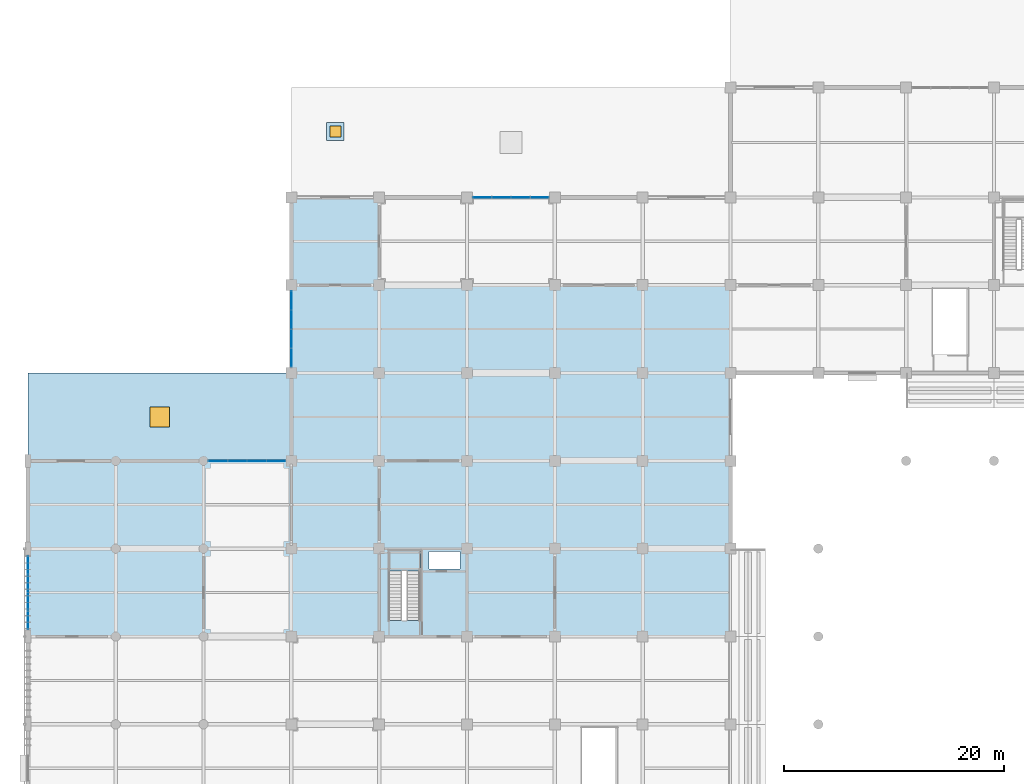
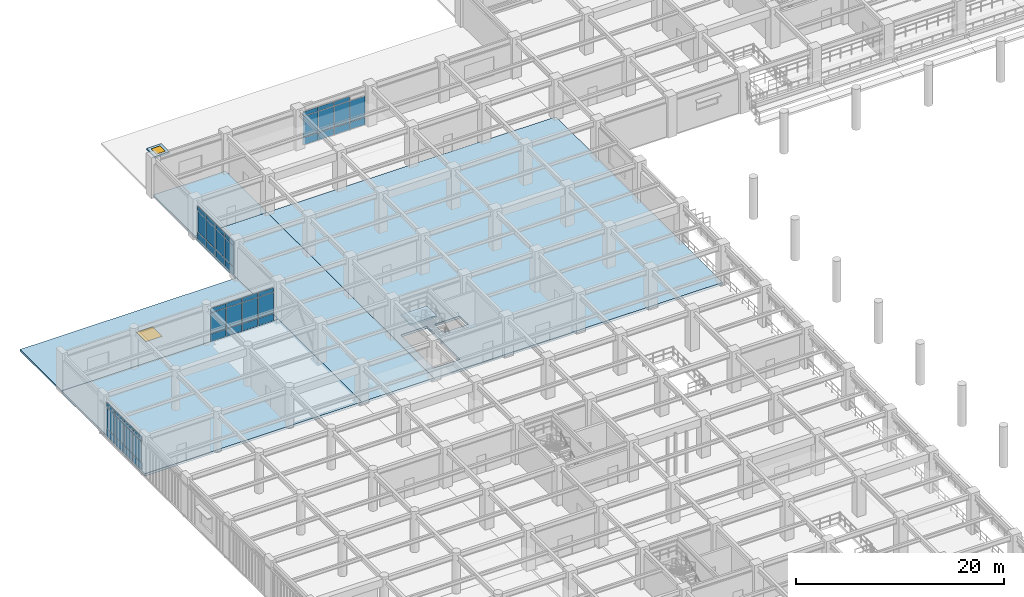
# One storey, part 66 of 117: 47 plates, 7 slabs, 1 door, 1 window, 2 openings, 5 elements without a shape of their own.
"""IFC4 building model written with IfcOpenShell, lengths in metres."""

from ifc_helpers import new_model, si_unit, direction, frame, origin, origin_2d, place, context, subcontext, project, spatial, polyline, rectangle, outline, extrude, material, layer, layer_set, type_object, element, fill, aggregate, save


model = new_model("IFC4")

# Units and contexts
model_context = context("Model", 3, precision=1e-05, world=origin(), true_north=direction((0.0, 1.0)))
body_context = subcontext(model_context, "Body", "Model", "MODEL_VIEW")
ifc_project = project(units=[si_unit("LENGTHUNIT", "METRE"), si_unit("AREAUNIT", "SQUARE_METRE"), si_unit("VOLUMEUNIT", "CUBIC_METRE"), si_unit("PLANEANGLEUNIT", "RADIAN"), si_unit("MASSUNIT", "GRAM", prefix="KILO")], contexts=[model_context])

# Site, building, storey
site_placement = place(None, origin())
site = spatial("IfcSite", under=ifc_project, at=site_placement, CompositionType="ELEMENT")
building_placement = place(site_placement, origin())
building = spatial("IfcBuilding", under=site, at=building_placement, Name="Haebicheon Civic Stadium", CompositionType="ELEMENT")
storey_placement = place(building_placement, frame((0.0, 0.0, 4.800048828125)))
storey = spatial("IfcBuildingStorey", under=building, at=storey_placement, Name="L02", CompositionType="ELEMENT", Elevation=4.800048828125)

# Curtain wall, plates
ifc_material_1 = material(Name="Anodised aluminium and laminated glass", Category="aluminium")
ifc_layer_1 = layer(ifc_material_1, 0.179931640625, Name="Anodised aluminium and laminated glass")
ifc_layer_set_1 = layer_set([ifc_layer_1], Name="Anodised aluminium and laminated glass")
curtain_wall_type_1 = type_object("IfcCurtainWallType", Name="CW-6800x3950", PredefinedType="NOTDEFINED", material=ifc_layer_set_1)
curtain_wall_1_placement = place(storey_placement, origin())
curtain_wall_1 = element("IfcCurtainWall", 1, at=curtain_wall_1_placement, inside=storey, type_object=curtain_wall_type_1, material=ifc_layer_set_1, Name="L02 unitised curtain wall 032", PredefinedType="NOTDEFINED")
ifc_material_2 = material(Name="Double low-e laminated glass", Category="glass")
ifc_layer_2 = layer(ifc_material_2, 0.028076171875, Name="Double low-e laminated glass")
ifc_layer_set_2 = layer_set([ifc_layer_2], Name="Double low-e laminated glass")
plate_type_1 = type_object("IfcPlateType", Name="CWP-GLZ-28", PredefinedType="CURTAIN_PANEL", material=ifc_layer_set_2)
plate_1_placement = place(storey_placement, frame((0.0, 129.468017578125, 0.93505859375), z_axis=(0.0, 0.0, 1.0), x_axis=(0.0, 1.0, 0.0)))
plate_1 = element("IfcPlate", 2, at=plate_1_placement, type_object=plate_type_1, material=ifc_layer_set_2, Name="CW-L02-032 vision panel 1.2", PredefinedType="CURTAIN_PANEL", context=body_context, shape_type="SweptSolid", body=[
    extrude(rectangle(XDim=1.594970703125, YDim=0.028076171875, at=origin_2d()), origin(), (0.0, 0.0, 1.0), 2.429931640625),
])
plate_2_placement = place(storey_placement, frame((0.0, 131.14990234375, 0.93505859375), z_axis=(0.0, 0.0, 1.0), x_axis=(0.0, 1.0, 0.0)))
plate_2 = element("IfcPlate", 3, at=plate_2_placement, type_object=plate_type_1, material=ifc_layer_set_2, Name="CW-L02-032 vision panel 2.2", PredefinedType="CURTAIN_PANEL", context=body_context, shape_type="SweptSolid", body=[
    extrude(rectangle(XDim=1.6298828125, YDim=0.028076171875, at=origin_2d()), origin(), (0.0, 0.0, 1.0), 2.429931640625),
])
plate_3_placement = place(storey_placement, frame((0.0, 132.85009765625, 0.93505859375), z_axis=(0.0, 0.0, 1.0), x_axis=(0.0, 1.0, 0.0)))
plate_3 = element("IfcPlate", 4, at=plate_3_placement, type_object=plate_type_1, material=ifc_layer_set_2, Name="CW-L02-032 vision panel 3.2", PredefinedType="CURTAIN_PANEL", context=body_context, shape_type="SweptSolid", body=[
    extrude(rectangle(XDim=1.6298828125, YDim=0.028076171875, at=origin_2d()), origin(), (0.0, 0.0, 1.0), 2.429931640625),
])
plate_4_placement = place(storey_placement, frame((0.0, 134.531982421875, 0.93505859375), z_axis=(0.0, 0.0, 1.0), x_axis=(0.0, 1.0, 0.0)))
plate_4 = element("IfcPlate", 5, at=plate_4_placement, type_object=plate_type_1, material=ifc_layer_set_2, Name="CW-L02-032 vision panel 4.2", PredefinedType="CURTAIN_PANEL", context=body_context, shape_type="SweptSolid", body=[
    extrude(rectangle(XDim=1.594970703125, YDim=0.028076171875, at=origin_2d()), origin(), (0.0, 0.0, 1.0), 2.429931640625),
])

ifc_material_3 = material(Name="Anodised aluminium and laminated glass", Category="aluminium")
ifc_layer_3 = layer(ifc_material_3, 0.179931640625, Name="Anodised aluminium and laminated glass")
ifc_layer_set_3 = layer_set([ifc_layer_3], Name="Anodised aluminium and laminated glass")
curtain_wall_type_2 = type_object("IfcCurtainWallType", Name="CW-7075x3910", PredefinedType="NOTDEFINED", material=ifc_layer_set_3)
curtain_wall_2_placement = place(storey_placement, origin())
curtain_wall_2 = element("IfcCurtainWall", 6, at=curtain_wall_2_placement, inside=storey, type_object=curtain_wall_type_2, material=ifc_layer_set_3, Name="L02 unitised curtain wall 034", PredefinedType="NOTDEFINED")
plate_5_placement = place(storey_placement, frame((17.326904296875, 144.0, 0.93505859375), z_axis=(0.0, 0.0, 1.0), x_axis=(1.0, 0.0, 0.0)))
plate_5 = element("IfcPlate", 7, at=plate_5_placement, type_object=plate_type_1, material=ifc_layer_set_2, Name="CW-L02-034 vision panel 1.2", PredefinedType="CURTAIN_PANEL", context=body_context, shape_type="SweptSolid", body=[
    extrude(rectangle(XDim=1.6640625, YDim=0.028076171875, at=origin_2d()), origin(), (0.0, 0.0, 1.0), 2.389892578125),
])
plate_6_placement = place(storey_placement, frame((19.077880859375, 144.0, 0.93505859375), z_axis=(0.0, 0.0, 1.0), x_axis=(1.0, 0.0, 0.0)))
plate_6 = element("IfcPlate", 8, at=plate_6_placement, type_object=plate_type_1, material=ifc_layer_set_2, Name="CW-L02-034 vision panel 2.2", PredefinedType="CURTAIN_PANEL", context=body_context, shape_type="SweptSolid", body=[
    extrude(rectangle(XDim=1.698974609375, YDim=0.028076171875, at=origin_2d()), origin(), (0.0, 0.0, 1.0), 2.389892578125),
])
plate_7_placement = place(storey_placement, frame((20.846923828125, 144.0, 0.93505859375), z_axis=(0.0, 0.0, 1.0), x_axis=(1.0, 0.0, 0.0)))
plate_7 = element("IfcPlate", 9, at=plate_7_placement, type_object=plate_type_1, material=ifc_layer_set_2, Name="CW-L02-034 vision panel 3.2", PredefinedType="CURTAIN_PANEL", context=body_context, shape_type="SweptSolid", body=[
    extrude(rectangle(XDim=1.697998046875, YDim=0.028076171875, at=origin_2d()), origin(), (0.0, 0.0, 1.0), 2.389892578125),
])
plate_8_placement = place(storey_placement, frame((22.597900390625, 144.0, 0.93505859375), z_axis=(0.0, 0.0, 1.0), x_axis=(1.0, 0.0, 0.0)))
plate_8 = element("IfcPlate", 10, at=plate_8_placement, type_object=plate_type_1, material=ifc_layer_set_2, Name="CW-L02-034 vision panel 4.2", PredefinedType="CURTAIN_PANEL", context=body_context, shape_type="SweptSolid", body=[
    extrude(rectangle(XDim=1.6640625, YDim=0.028076171875, at=origin_2d()), origin(), (0.0, 0.0, 1.0), 2.389892578125),
])

ifc_material_4 = material(Name="Anodised aluminium and laminated glass", Category="aluminium")
ifc_layer_4 = layer(ifc_material_4, 0.179931640625, Name="Anodised aluminium and laminated glass")
ifc_layer_set_4 = layer_set([ifc_layer_4], Name="Anodised aluminium and laminated glass")
curtain_wall_type_3 = type_object("IfcCurtainWallType", Name="CW-7000x3910", PredefinedType="NOTDEFINED", material=ifc_layer_set_4)
curtain_wall_3_placement = place(storey_placement, origin())
curtain_wall_3 = element("IfcCurtainWall", 11, at=curtain_wall_3_placement, inside=storey, type_object=curtain_wall_type_3, material=ifc_layer_set_4, Name="L02 unitised curtain wall 037", PredefinedType="NOTDEFINED")
plate_9_placement = place(storey_placement, frame((24.0, 153.39208984375, 0.93505859375), z_axis=(0.0, 0.0, 1.0), x_axis=(0.0, 1.0, 0.0)))
plate_9 = element("IfcPlate", 12, at=plate_9_placement, type_object=plate_type_1, material=ifc_layer_set_2, Name="CW-L02-037 vision panel 1.2", PredefinedType="CURTAIN_PANEL", context=body_context, shape_type="SweptSolid", body=[
    extrude(rectangle(XDim=1.64501953125, YDim=0.028076171875, at=origin_2d()), origin(), (0.0, 0.0, 1.0), 2.389892578125),
])
plate_10_placement = place(storey_placement, frame((24.0, 155.125, 0.93505859375), z_axis=(0.0, 0.0, 1.0), x_axis=(0.0, 1.0, 0.0)))
plate_10 = element("IfcPlate", 13, at=plate_10_placement, type_object=plate_type_1, material=ifc_layer_set_2, Name="CW-L02-037 vision panel 2.2", PredefinedType="CURTAIN_PANEL", context=body_context, shape_type="SweptSolid", body=[
    extrude(rectangle(XDim=1.679931640625, YDim=0.028076171875, at=origin_2d()), origin(), (0.0, 0.0, 1.0), 2.389892578125),
])
plate_11_placement = place(storey_placement, frame((24.0, 156.875, 0.93505859375), z_axis=(0.0, 0.0, 1.0), x_axis=(0.0, 1.0, 0.0)))
plate_11 = element("IfcPlate", 14, at=plate_11_placement, type_object=plate_type_1, material=ifc_layer_set_2, Name="CW-L02-037 vision panel 3.2", PredefinedType="CURTAIN_PANEL", context=body_context, shape_type="SweptSolid", body=[
    extrude(rectangle(XDim=1.679931640625, YDim=0.028076171875, at=origin_2d()), origin(), (0.0, 0.0, 1.0), 2.389892578125),
])
plate_12_placement = place(storey_placement, frame((24.0, 158.60791015625, 0.93505859375), z_axis=(0.0, 0.0, 1.0), x_axis=(0.0, 1.0, 0.0)))
plate_12 = element("IfcPlate", 15, at=plate_12_placement, type_object=plate_type_1, material=ifc_layer_set_2, Name="CW-L02-037 vision panel 4.2", PredefinedType="CURTAIN_PANEL", context=body_context, shape_type="SweptSolid", body=[
    extrude(rectangle(XDim=1.64501953125, YDim=0.028076171875, at=origin_2d()), origin(), (0.0, 0.0, 1.0), 2.389892578125),
])

ifc_material_5 = material(Name="Anodised aluminium and laminated glass", Category="aluminium")
ifc_layer_5 = layer(ifc_material_5, 0.179931640625, Name="Anodised aluminium and laminated glass")
ifc_layer_set_5 = layer_set([ifc_layer_5], Name="Anodised aluminium and laminated glass")
curtain_wall_type_4 = type_object("IfcCurtainWallType", Name="CW-7000x3950", PredefinedType="NOTDEFINED", material=ifc_layer_set_5)
curtain_wall_4_placement = place(storey_placement, origin())
curtain_wall_4 = element("IfcCurtainWall", 16, at=curtain_wall_4_placement, inside=storey, type_object=curtain_wall_type_4, material=ifc_layer_set_5, Name="L02 unitised curtain wall 040", PredefinedType="NOTDEFINED")
plate_13_placement = place(storey_placement, frame((41.39208984375, 168.0, 0.93505859375), z_axis=(0.0, 0.0, 1.0), x_axis=(1.0, 0.0, 0.0)))
plate_13 = element("IfcPlate", 17, at=plate_13_placement, type_object=plate_type_1, material=ifc_layer_set_2, Name="CW-L02-040 vision panel 1.2", PredefinedType="CURTAIN_PANEL", context=body_context, shape_type="SweptSolid", body=[
    extrude(rectangle(XDim=1.64501953125, YDim=0.028076171875, at=origin_2d()), origin(), (0.0, 0.0, 1.0), 2.429931640625),
])
plate_14_placement = place(storey_placement, frame((43.125, 168.0, 0.93505859375), z_axis=(0.0, 0.0, 1.0), x_axis=(1.0, 0.0, 0.0)))
plate_14 = element("IfcPlate", 18, at=plate_14_placement, type_object=plate_type_1, material=ifc_layer_set_2, Name="CW-L02-040 vision panel 2.2", PredefinedType="CURTAIN_PANEL", context=body_context, shape_type="SweptSolid", body=[
    extrude(rectangle(XDim=1.679931640625, YDim=0.028076171875, at=origin_2d()), origin(), (0.0, 0.0, 1.0), 2.429931640625),
])
plate_15_placement = place(storey_placement, frame((44.875, 168.0, 0.93505859375), z_axis=(0.0, 0.0, 1.0), x_axis=(1.0, 0.0, 0.0)))
plate_15 = element("IfcPlate", 19, at=plate_15_placement, type_object=plate_type_1, material=ifc_layer_set_2, Name="CW-L02-040 vision panel 3.2", PredefinedType="CURTAIN_PANEL", context=body_context, shape_type="SweptSolid", body=[
    extrude(rectangle(XDim=1.679931640625, YDim=0.028076171875, at=origin_2d()), origin(), (0.0, 0.0, 1.0), 2.429931640625),
])
plate_16_placement = place(storey_placement, frame((46.60791015625, 168.0, 0.93505859375), z_axis=(0.0, 0.0, 1.0), x_axis=(1.0, 0.0, 0.0)))
plate_16 = element("IfcPlate", 20, at=plate_16_placement, type_object=plate_type_1, material=ifc_layer_set_2, Name="CW-L02-040 vision panel 4.2", PredefinedType="CURTAIN_PANEL", context=body_context, shape_type="SweptSolid", body=[
    extrude(rectangle(XDim=1.64501953125, YDim=0.028076171875, at=origin_2d()), origin(), (0.0, 0.0, 1.0), 2.429931640625),
])

# Plate
ifc_material_6 = material(Name="Anodised aluminium 6063-T6", Category="aluminium")
ifc_layer_6 = layer(ifc_material_6, 0.053955078125, Name="Anodised aluminium 6063-T6")
ifc_layer_set_6 = layer_set([ifc_layer_6], Name="Anodised aluminium 6063-T6")
plate_type_2 = type_object("IfcPlateType", Name="CWP-SPD-54", PredefinedType="CURTAIN_PANEL", material=ifc_layer_set_6)
plate_17_placement = place(storey_placement, frame((0.0, 129.468017578125, 0.034912109375), z_axis=(0.0, 0.0, 1.0), x_axis=(0.0, 1.0, 0.0)))
plate_17 = element("IfcPlate", 21, at=plate_17_placement, type_object=plate_type_2, material=ifc_layer_set_6, Name="CW-L02-032 spandrel panel 1.1", PredefinedType="CURTAIN_PANEL", context=body_context, shape_type="SweptSolid", body=[
    extrude(rectangle(XDim=1.594970703125, YDim=0.053955078125, at=origin_2d()), origin(), (0.0, 0.0, 1.0), 0.830078125),
])

plate_18_placement = place(storey_placement, frame((0.0, 129.468017578125, 3.43505859375), z_axis=(0.0, 0.0, 1.0), x_axis=(0.0, 1.0, 0.0)))
plate_18 = element("IfcPlate", 22, at=plate_18_placement, type_object=plate_type_2, material=ifc_layer_set_6, Name="CW-L02-032 spandrel panel 1.3", PredefinedType="CURTAIN_PANEL", context=body_context, shape_type="SweptSolid", body=[
    extrude(rectangle(XDim=1.594970703125, YDim=0.053955078125, at=origin_2d()), origin(), (0.0, 0.0, 1.0), 0.47998046875),
])

plate_19_placement = place(storey_placement, frame((0.0, 131.14990234375, 0.034912109375), z_axis=(0.0, 0.0, 1.0), x_axis=(0.0, 1.0, 0.0)))
plate_19 = element("IfcPlate", 23, at=plate_19_placement, type_object=plate_type_2, material=ifc_layer_set_6, Name="CW-L02-032 spandrel panel 2.1", PredefinedType="CURTAIN_PANEL", context=body_context, shape_type="SweptSolid", body=[
    extrude(rectangle(XDim=1.6298828125, YDim=0.053955078125, at=origin_2d()), origin(), (0.0, 0.0, 1.0), 0.830078125),
])

plate_20_placement = place(storey_placement, frame((0.0, 131.14990234375, 3.43505859375), z_axis=(0.0, 0.0, 1.0), x_axis=(0.0, 1.0, 0.0)))
plate_20 = element("IfcPlate", 24, at=plate_20_placement, type_object=plate_type_2, material=ifc_layer_set_6, Name="CW-L02-032 spandrel panel 2.3", PredefinedType="CURTAIN_PANEL", context=body_context, shape_type="SweptSolid", body=[
    extrude(rectangle(XDim=1.6298828125, YDim=0.053955078125, at=origin_2d()), origin(), (0.0, 0.0, 1.0), 0.47998046875),
])

plate_21_placement = place(storey_placement, frame((0.0, 132.85009765625, 0.034912109375), z_axis=(0.0, 0.0, 1.0), x_axis=(0.0, 1.0, 0.0)))
plate_21 = element("IfcPlate", 25, at=plate_21_placement, type_object=plate_type_2, material=ifc_layer_set_6, Name="CW-L02-032 spandrel panel 3.1", PredefinedType="CURTAIN_PANEL", context=body_context, shape_type="SweptSolid", body=[
    extrude(rectangle(XDim=1.6298828125, YDim=0.053955078125, at=origin_2d()), origin(), (0.0, 0.0, 1.0), 0.830078125),
])

plate_22_placement = place(storey_placement, frame((0.0, 132.85009765625, 3.43505859375), z_axis=(0.0, 0.0, 1.0), x_axis=(0.0, 1.0, 0.0)))
plate_22 = element("IfcPlate", 26, at=plate_22_placement, type_object=plate_type_2, material=ifc_layer_set_6, Name="CW-L02-032 spandrel panel 3.3", PredefinedType="CURTAIN_PANEL", context=body_context, shape_type="SweptSolid", body=[
    extrude(rectangle(XDim=1.6298828125, YDim=0.053955078125, at=origin_2d()), origin(), (0.0, 0.0, 1.0), 0.47998046875),
])

plate_23_placement = place(storey_placement, frame((0.0, 134.531982421875, 0.034912109375), z_axis=(0.0, 0.0, 1.0), x_axis=(0.0, 1.0, 0.0)))
plate_23 = element("IfcPlate", 27, at=plate_23_placement, type_object=plate_type_2, material=ifc_layer_set_6, Name="CW-L02-032 spandrel panel 4.1", PredefinedType="CURTAIN_PANEL", context=body_context, shape_type="SweptSolid", body=[
    extrude(rectangle(XDim=1.594970703125, YDim=0.053955078125, at=origin_2d()), origin(), (0.0, 0.0, 1.0), 0.830078125),
])

plate_24_placement = place(storey_placement, frame((0.0, 134.531982421875, 3.43505859375), z_axis=(0.0, 0.0, 1.0), x_axis=(0.0, 1.0, 0.0)))
plate_24 = element("IfcPlate", 28, at=plate_24_placement, type_object=plate_type_2, material=ifc_layer_set_6, Name="CW-L02-032 spandrel panel 4.3", PredefinedType="CURTAIN_PANEL", context=body_context, shape_type="SweptSolid", body=[
    extrude(rectangle(XDim=1.594970703125, YDim=0.053955078125, at=origin_2d()), origin(), (0.0, 0.0, 1.0), 0.47998046875),
])

aggregate(curtain_wall_1, [plate_17, plate_1, plate_18, plate_19, plate_2, plate_20, plate_21, plate_3, plate_22, plate_23, plate_4, plate_24])

plate_25_placement = place(storey_placement, frame((17.326904296875, 144.0, 0.034912109375), z_axis=(0.0, 0.0, 1.0), x_axis=(1.0, 0.0, 0.0)))
plate_25 = element("IfcPlate", 29, at=plate_25_placement, type_object=plate_type_2, material=ifc_layer_set_6, Name="CW-L02-034 spandrel panel 1.1", PredefinedType="CURTAIN_PANEL", context=body_context, shape_type="SweptSolid", body=[
    extrude(rectangle(XDim=1.6640625, YDim=0.053955078125, at=origin_2d()), origin(), (0.0, 0.0, 1.0), 0.830078125),
])

plate_26_placement = place(storey_placement, frame((17.326904296875, 144.0, 3.39501953125), z_axis=(0.0, 0.0, 1.0), x_axis=(1.0, 0.0, 0.0)))
plate_26 = element("IfcPlate", 30, at=plate_26_placement, type_object=plate_type_2, material=ifc_layer_set_6, Name="CW-L02-034 spandrel panel 1.3", PredefinedType="CURTAIN_PANEL", context=body_context, shape_type="SweptSolid", body=[
    extrude(rectangle(XDim=1.6640625, YDim=0.053955078125, at=origin_2d()), origin(), (0.0, 0.0, 1.0), 0.47998046875),
])

plate_27_placement = place(storey_placement, frame((19.077880859375, 144.0, 0.034912109375), z_axis=(0.0, 0.0, 1.0), x_axis=(1.0, 0.0, 0.0)))
plate_27 = element("IfcPlate", 31, at=plate_27_placement, type_object=plate_type_2, material=ifc_layer_set_6, Name="CW-L02-034 spandrel panel 2.1", PredefinedType="CURTAIN_PANEL", context=body_context, shape_type="SweptSolid", body=[
    extrude(rectangle(XDim=1.698974609375, YDim=0.053955078125, at=origin_2d()), origin(), (0.0, 0.0, 1.0), 0.830078125),
])

plate_28_placement = place(storey_placement, frame((19.077880859375, 144.0, 3.39501953125), z_axis=(0.0, 0.0, 1.0), x_axis=(1.0, 0.0, 0.0)))
plate_28 = element("IfcPlate", 32, at=plate_28_placement, type_object=plate_type_2, material=ifc_layer_set_6, Name="CW-L02-034 spandrel panel 2.3", PredefinedType="CURTAIN_PANEL", context=body_context, shape_type="SweptSolid", body=[
    extrude(rectangle(XDim=1.698974609375, YDim=0.053955078125, at=origin_2d()), origin(), (0.0, 0.0, 1.0), 0.47998046875),
])

plate_29_placement = place(storey_placement, frame((20.846923828125, 144.0, 0.034912109375), z_axis=(0.0, 0.0, 1.0), x_axis=(1.0, 0.0, 0.0)))
plate_29 = element("IfcPlate", 33, at=plate_29_placement, type_object=plate_type_2, material=ifc_layer_set_6, Name="CW-L02-034 spandrel panel 3.1", PredefinedType="CURTAIN_PANEL", context=body_context, shape_type="SweptSolid", body=[
    extrude(rectangle(XDim=1.697998046875, YDim=0.053955078125, at=origin_2d()), origin(), (0.0, 0.0, 1.0), 0.830078125),
])

plate_30_placement = place(storey_placement, frame((20.846923828125, 144.0, 3.39501953125), z_axis=(0.0, 0.0, 1.0), x_axis=(1.0, 0.0, 0.0)))
plate_30 = element("IfcPlate", 34, at=plate_30_placement, type_object=plate_type_2, material=ifc_layer_set_6, Name="CW-L02-034 spandrel panel 3.3", PredefinedType="CURTAIN_PANEL", context=body_context, shape_type="SweptSolid", body=[
    extrude(rectangle(XDim=1.697998046875, YDim=0.053955078125, at=origin_2d()), origin(), (0.0, 0.0, 1.0), 0.47998046875),
])

plate_31_placement = place(storey_placement, frame((22.597900390625, 144.0, 0.034912109375), z_axis=(0.0, 0.0, 1.0), x_axis=(1.0, 0.0, 0.0)))
plate_31 = element("IfcPlate", 35, at=plate_31_placement, type_object=plate_type_2, material=ifc_layer_set_6, Name="CW-L02-034 spandrel panel 4.1", PredefinedType="CURTAIN_PANEL", context=body_context, shape_type="SweptSolid", body=[
    extrude(rectangle(XDim=1.6640625, YDim=0.053955078125, at=origin_2d()), origin(), (0.0, 0.0, 1.0), 0.830078125),
])

plate_32_placement = place(storey_placement, frame((22.597900390625, 144.0, 3.39501953125), z_axis=(0.0, 0.0, 1.0), x_axis=(1.0, 0.0, 0.0)))
plate_32 = element("IfcPlate", 36, at=plate_32_placement, type_object=plate_type_2, material=ifc_layer_set_6, Name="CW-L02-034 spandrel panel 4.3", PredefinedType="CURTAIN_PANEL", context=body_context, shape_type="SweptSolid", body=[
    extrude(rectangle(XDim=1.6640625, YDim=0.053955078125, at=origin_2d()), origin(), (0.0, 0.0, 1.0), 0.47998046875),
])

aggregate(curtain_wall_2, [plate_25, plate_5, plate_26, plate_27, plate_6, plate_28, plate_29, plate_7, plate_30, plate_31, plate_8, plate_32])

plate_33_placement = place(storey_placement, frame((24.0, 153.39208984375, 0.034912109375), z_axis=(0.0, 0.0, 1.0), x_axis=(0.0, 1.0, 0.0)))
plate_33 = element("IfcPlate", 37, at=plate_33_placement, type_object=plate_type_2, material=ifc_layer_set_6, Name="CW-L02-037 spandrel panel 1.1", PredefinedType="CURTAIN_PANEL", context=body_context, shape_type="SweptSolid", body=[
    extrude(rectangle(XDim=1.64501953125, YDim=0.053955078125, at=origin_2d()), origin(), (0.0, 0.0, 1.0), 0.830078125),
])

plate_34_placement = place(storey_placement, frame((24.0, 153.39208984375, 3.39501953125), z_axis=(0.0, 0.0, 1.0), x_axis=(0.0, 1.0, 0.0)))
plate_34 = element("IfcPlate", 38, at=plate_34_placement, type_object=plate_type_2, material=ifc_layer_set_6, Name="CW-L02-037 spandrel panel 1.3", PredefinedType="CURTAIN_PANEL", context=body_context, shape_type="SweptSolid", body=[
    extrude(rectangle(XDim=1.64501953125, YDim=0.053955078125, at=origin_2d()), origin(), (0.0, 0.0, 1.0), 0.47998046875),
])

plate_35_placement = place(storey_placement, frame((24.0, 155.125, 0.034912109375), z_axis=(0.0, 0.0, 1.0), x_axis=(0.0, 1.0, 0.0)))
plate_35 = element("IfcPlate", 39, at=plate_35_placement, type_object=plate_type_2, material=ifc_layer_set_6, Name="CW-L02-037 spandrel panel 2.1", PredefinedType="CURTAIN_PANEL", context=body_context, shape_type="SweptSolid", body=[
    extrude(rectangle(XDim=1.679931640625, YDim=0.053955078125, at=origin_2d()), origin(), (0.0, 0.0, 1.0), 0.830078125),
])

plate_36_placement = place(storey_placement, frame((24.0, 155.125, 3.39501953125), z_axis=(0.0, 0.0, 1.0), x_axis=(0.0, 1.0, 0.0)))
plate_36 = element("IfcPlate", 40, at=plate_36_placement, type_object=plate_type_2, material=ifc_layer_set_6, Name="CW-L02-037 spandrel panel 2.3", PredefinedType="CURTAIN_PANEL", context=body_context, shape_type="SweptSolid", body=[
    extrude(rectangle(XDim=1.679931640625, YDim=0.053955078125, at=origin_2d()), origin(), (0.0, 0.0, 1.0), 0.47998046875),
])

plate_37_placement = place(storey_placement, frame((24.0, 156.875, 0.034912109375), z_axis=(0.0, 0.0, 1.0), x_axis=(0.0, 1.0, 0.0)))
plate_37 = element("IfcPlate", 41, at=plate_37_placement, type_object=plate_type_2, material=ifc_layer_set_6, Name="CW-L02-037 spandrel panel 3.1", PredefinedType="CURTAIN_PANEL", context=body_context, shape_type="SweptSolid", body=[
    extrude(rectangle(XDim=1.679931640625, YDim=0.053955078125, at=origin_2d()), origin(), (0.0, 0.0, 1.0), 0.830078125),
])

plate_38_placement = place(storey_placement, frame((24.0, 156.875, 3.39501953125), z_axis=(0.0, 0.0, 1.0), x_axis=(0.0, 1.0, 0.0)))
plate_38 = element("IfcPlate", 42, at=plate_38_placement, type_object=plate_type_2, material=ifc_layer_set_6, Name="CW-L02-037 spandrel panel 3.3", PredefinedType="CURTAIN_PANEL", context=body_context, shape_type="SweptSolid", body=[
    extrude(rectangle(XDim=1.679931640625, YDim=0.053955078125, at=origin_2d()), origin(), (0.0, 0.0, 1.0), 0.47998046875),
])

plate_39_placement = place(storey_placement, frame((24.0, 158.60791015625, 0.034912109375), z_axis=(0.0, 0.0, 1.0), x_axis=(0.0, 1.0, 0.0)))
plate_39 = element("IfcPlate", 43, at=plate_39_placement, type_object=plate_type_2, material=ifc_layer_set_6, Name="CW-L02-037 spandrel panel 4.1", PredefinedType="CURTAIN_PANEL", context=body_context, shape_type="SweptSolid", body=[
    extrude(rectangle(XDim=1.64501953125, YDim=0.053955078125, at=origin_2d()), origin(), (0.0, 0.0, 1.0), 0.830078125),
])

plate_40_placement = place(storey_placement, frame((24.0, 158.60791015625, 3.39501953125), z_axis=(0.0, 0.0, 1.0), x_axis=(0.0, 1.0, 0.0)))
plate_40 = element("IfcPlate", 44, at=plate_40_placement, type_object=plate_type_2, material=ifc_layer_set_6, Name="CW-L02-037 spandrel panel 4.3", PredefinedType="CURTAIN_PANEL", context=body_context, shape_type="SweptSolid", body=[
    extrude(rectangle(XDim=1.64501953125, YDim=0.053955078125, at=origin_2d()), origin(), (0.0, 0.0, 1.0), 0.47998046875),
])

aggregate(curtain_wall_3, [plate_33, plate_9, plate_34, plate_35, plate_10, plate_36, plate_37, plate_11, plate_38, plate_39, plate_12, plate_40])

plate_41_placement = place(storey_placement, frame((41.39208984375, 168.0, 0.034912109375), z_axis=(0.0, 0.0, 1.0), x_axis=(1.0, 0.0, 0.0)))
plate_41 = element("IfcPlate", 45, at=plate_41_placement, type_object=plate_type_2, material=ifc_layer_set_6, Name="CW-L02-040 spandrel panel 1.1", PredefinedType="CURTAIN_PANEL", context=body_context, shape_type="SweptSolid", body=[
    extrude(rectangle(XDim=1.64501953125, YDim=0.053955078125, at=origin_2d()), origin(), (0.0, 0.0, 1.0), 0.830078125),
])

plate_42_placement = place(storey_placement, frame((41.39208984375, 168.0, 3.43505859375), z_axis=(0.0, 0.0, 1.0), x_axis=(1.0, 0.0, 0.0)))
plate_42 = element("IfcPlate", 46, at=plate_42_placement, type_object=plate_type_2, material=ifc_layer_set_6, Name="CW-L02-040 spandrel panel 1.3", PredefinedType="CURTAIN_PANEL", context=body_context, shape_type="SweptSolid", body=[
    extrude(rectangle(XDim=1.64501953125, YDim=0.053955078125, at=origin_2d()), origin(), (0.0, 0.0, 1.0), 0.47998046875),
])

plate_43_placement = place(storey_placement, frame((43.125, 168.0, 0.034912109375), z_axis=(0.0, 0.0, 1.0), x_axis=(1.0, 0.0, 0.0)))
plate_43 = element("IfcPlate", 47, at=plate_43_placement, type_object=plate_type_2, material=ifc_layer_set_6, Name="CW-L02-040 spandrel panel 2.1", PredefinedType="CURTAIN_PANEL", context=body_context, shape_type="SweptSolid", body=[
    extrude(rectangle(XDim=1.679931640625, YDim=0.053955078125, at=origin_2d()), origin(), (0.0, 0.0, 1.0), 0.830078125),
])

plate_44_placement = place(storey_placement, frame((43.125, 168.0, 3.43505859375), z_axis=(0.0, 0.0, 1.0), x_axis=(1.0, 0.0, 0.0)))
plate_44 = element("IfcPlate", 48, at=plate_44_placement, type_object=plate_type_2, material=ifc_layer_set_6, Name="CW-L02-040 spandrel panel 2.3", PredefinedType="CURTAIN_PANEL", context=body_context, shape_type="SweptSolid", body=[
    extrude(rectangle(XDim=1.679931640625, YDim=0.053955078125, at=origin_2d()), origin(), (0.0, 0.0, 1.0), 0.47998046875),
])

plate_45_placement = place(storey_placement, frame((44.875, 168.0, 0.034912109375), z_axis=(0.0, 0.0, 1.0), x_axis=(1.0, 0.0, 0.0)))
plate_45 = element("IfcPlate", 49, at=plate_45_placement, type_object=plate_type_2, material=ifc_layer_set_6, Name="CW-L02-040 spandrel panel 3.1", PredefinedType="CURTAIN_PANEL", context=body_context, shape_type="SweptSolid", body=[
    extrude(rectangle(XDim=1.679931640625, YDim=0.053955078125, at=origin_2d()), origin(), (0.0, 0.0, 1.0), 0.830078125),
])

plate_46_placement = place(storey_placement, frame((44.875, 168.0, 3.43505859375), z_axis=(0.0, 0.0, 1.0), x_axis=(1.0, 0.0, 0.0)))
plate_46 = element("IfcPlate", 50, at=plate_46_placement, type_object=plate_type_2, material=ifc_layer_set_6, Name="CW-L02-040 spandrel panel 3.3", PredefinedType="CURTAIN_PANEL", context=body_context, shape_type="SweptSolid", body=[
    extrude(rectangle(XDim=1.679931640625, YDim=0.053955078125, at=origin_2d()), origin(), (0.0, 0.0, 1.0), 0.47998046875),
])

plate_47_placement = place(storey_placement, frame((46.60791015625, 168.0, 0.034912109375), z_axis=(0.0, 0.0, 1.0), x_axis=(1.0, 0.0, 0.0)))
plate_47 = element("IfcPlate", 51, at=plate_47_placement, type_object=plate_type_2, material=ifc_layer_set_6, Name="CW-L02-040 spandrel panel 4.1", PredefinedType="CURTAIN_PANEL", context=body_context, shape_type="SweptSolid", body=[
    extrude(rectangle(XDim=1.64501953125, YDim=0.053955078125, at=origin_2d()), origin(), (0.0, 0.0, 1.0), 0.830078125),
])

aggregate(curtain_wall_4, [plate_41, plate_13, plate_42, plate_43, plate_14, plate_44, plate_45, plate_15, plate_46, plate_47, plate_16])

# Slab, opening, door
ifc_material_7 = material(Name="Precast concrete C40/50", Category="concrete")
ifc_layer_7 = layer(ifc_material_7, 0.2099609375, Name="Precast concrete C40/50")
ifc_layer_set_7 = layer_set([ifc_layer_7], Name="Precast concrete C40/50")
slab_type_1 = type_object("IfcSlabType", Name="SLB-CRB-210", PredefinedType="ROOF", material=ifc_layer_set_7)
slab_1_placement = place(storey_placement, origin())
slab_1 = element("IfcSlab", 52, at=slab_1_placement, inside=storey, type_object=slab_type_1, material=ifc_layer_set_7, Name="Rooftop hatch upstand curb 01", PredefinedType="ROOF", context=body_context, shape_type="SweptSolid", body=[
    extrude(outline(polyline([(27.199951171875, 173.199951171875), (28.800048828125, 173.199951171875), (28.800048828125, 174.800048828125), (27.199951171875, 174.800048828125), (27.199951171875, 173.199951171875)]), holes=[polyline([(27.5, 173.5), (28.5, 173.5), (28.5, 174.5), (27.5, 174.5), (27.5, 173.5)])]), origin(), (0.0, 0.0, 1.0), 0.2099609375),
])
opening_1_placement = place(slab_1_placement, frame((28.0, 174.0, -0.010009765625)))
opening_1 = element("IfcOpeningElement", 53, at=opening_1_placement, cuts=slab_1, Name="Opening HTCH-01", PredefinedType="OPENING", context=body_context, shape_type="SweptSolid", body=[
    extrude(rectangle(XDim=1.0, YDim=1.0, at=origin_2d()), origin(), (0.0, 0.0, 1.0), 0.22998046875),
])
ifc_material_8 = material(Name="Anodised aluminium 6063-T6", Category="aluminium")
door_type = type_object("IfcDoorType", Name="ED-HTCH-1000", OperationType="NOTDEFINED", PredefinedType="TRAPDOOR", material=ifc_material_8)
door_placement = place(slab_1_placement, frame((28.0, 174.0, 0.159912109375)))
door = element("IfcDoor", 54, at=door_placement, inside=storey, type_object=door_type, material=ifc_material_8, Name="Roof maintenance access hatch HTCH-01", OperationType="SINGLE_SWING_LEFT", OverallHeight=1.0, OverallWidth=1.0, PredefinedType="TRAPDOOR", context=body_context, shape_type="SweptSolid", body=[
    extrude(rectangle(XDim=1.0, YDim=1.0, at=origin_2d()), origin(), (0.0, 0.0, 1.0), 0.050048828125),
])
fill(opening_1, door)

# Slabs
ifc_material_9 = material(Name="Concrete C40/50", Category="concrete")
ifc_layer_8 = layer(ifc_material_9, 0.280029296875, Name="Concrete C40/50")
ifc_layer_set_8 = layer_set([ifc_layer_8], Name="Concrete C40/50")
slab_type_2 = type_object("IfcSlabType", Name="SLB-FLR-280", PredefinedType="FLOOR", material=ifc_layer_set_8)
slab_2_placement = place(storey_placement, frame((0.0, 0.0, -0.280029296875)))
element("IfcSlab", 55, at=slab_2_placement, inside=storey, type_object=slab_type_2, material=ifc_layer_set_8, Name="L02 V1 structural slab 5.1", PredefinedType="FLOOR", context=body_context, shape_type="SweptSolid", body=[
    extrude(outline(polyline([(24.0, 128.0), (24.0, 136.0), (24.0, 144.0), (24.0, 152.0), (24.0, 160.0), (32.0, 160.0), (32.0, 152.0), (32.0, 144.0), (32.0, 136.0), (32.0, 128.0), (24.0, 128.0)])), origin(), (0.0, 0.0, 1.0), 0.280029296875),
])
slab_3_placement = place(storey_placement, frame((0.0, 0.0, -0.280029296875)))
element("IfcSlab", 56, at=slab_3_placement, inside=storey, type_object=slab_type_2, material=ifc_layer_set_8, Name="L02 V1 structural slab 6.1", PredefinedType="FLOOR", context=body_context, shape_type="SweptSolid", body=[
    extrude(outline(polyline([(32.0, 160.0), (24.0, 160.0), (24.0, 168.0), (32.0, 168.0), (32.0, 160.0)])), origin(), (0.0, 0.0, 1.0), 0.280029296875),
])
slab_4_placement = place(storey_placement, frame((0.0, 0.0, -0.280029296875)))
element("IfcSlab", 57, at=slab_4_placement, inside=storey, type_object=slab_type_2, material=ifc_layer_set_8, Name="L02 V1 structural slab 11.1", PredefinedType="FLOOR", context=body_context, shape_type="SweptSolid", body=[
    extrude(outline(polyline([(32.0, 152.0), (32.0, 160.0), (40.0, 160.0), (48.0, 160.0), (56.0, 160.0), (64.0, 160.0), (64.0, 152.0), (64.0, 144.0), (64.0, 136.0), (64.0, 128.0), (56.0, 128.0), (48.0, 128.0), (40.0, 128.0), (32.0, 128.0), (32.0, 136.0), (32.0, 144.0), (32.0, 152.0)]), holes=[polyline([(32.840087890625, 129.4599609375), (35.739990234375, 129.4599609375), (35.739990234375, 135.840087890625), (32.840087890625, 135.840087890625), (32.840087890625, 129.4599609375)]), polyline([(36.550048828125, 134.14990234375), (39.35009765625, 134.14990234375), (39.35009765625, 135.75), (36.550048828125, 135.75), (36.550048828125, 134.14990234375)])]), origin(), (0.0, 0.0, 1.0), 0.280029296875),
])
slab_5_placement = place(storey_placement, frame((0.0, 0.0, -0.280029296875)))
element("IfcSlab", 58, at=slab_5_placement, inside=storey, type_object=slab_type_2, material=ifc_layer_set_8, Name="L02 V5 structural slab 4.1", PredefinedType="FLOOR", context=body_context, shape_type="SweptSolid", body=[
    extrude(outline(polyline([(0.0, 136.0), (0.0, 144.0), (8.0, 144.0), (16.0, 144.0), (24.0, 144.0), (24.0, 136.0), (24.0, 128.0), (16.0, 128.0), (8.0, 128.0), (0.0, 128.0), (0.0, 136.0)])), origin(), (0.0, 0.0, 1.0), 0.280029296875),
])

# Stair, slab
ifc_material_10 = material(Name="Concrete C40/50", Category="concrete")
stair_type = type_object("IfcStairType", Name="STR-DL-W126-H48", PredefinedType="HALF_TURN_STAIR", material=ifc_material_10)
stair_placement = place(storey_placement, origin())
stair = element("IfcStair", 59, at=stair_placement, inside=storey, type_object=stair_type, material=ifc_material_10, Name="L02 Escape stair ST-05", PredefinedType="HALF_TURN_STAIR")
ifc_material_11 = material(Name="Concrete C40/50", Category="concrete")
ifc_layer_9 = layer(ifc_material_11, 0.199951171875, Name="Concrete C40/50")
ifc_layer_set_9 = layer_set([ifc_layer_9], Name="Concrete C40/50")
slab_type_3 = type_object("IfcSlabType", Name="SLB-LND-200", PredefinedType="LANDING", material=ifc_layer_set_9)
slab_6_placement = place(storey_placement, frame((0.0, 0.0, 2.199951171875)))
slab_6 = element("IfcSlab", 60, at=slab_6_placement, type_object=slab_type_3, material=ifc_layer_set_9, Name="ST-05 landing 1", PredefinedType="LANDING", context=body_context, shape_type="SweptSolid", body=[
    extrude(outline(polyline([(35.739990234375, 133.949951171875), (35.739990234375, 135.840087890625), (32.840087890625, 135.840087890625), (32.840087890625, 133.949951171875), (35.739990234375, 133.949951171875)])), origin(), (0.0, 0.0, 1.0), 0.199951171875),
])
aggregate(stair, [slab_6])

# Slab, opening, window
ifc_material_12 = material(Name="Concrete C40/50", Category="concrete")
ifc_layer_10 = layer(ifc_material_12, 0.18994140625, Name="Concrete C40/50")
ifc_layer_set_10 = layer_set([ifc_layer_10], Name="Concrete C40/50")
slab_type_4 = type_object("IfcSlabType", Name="SLB-ROOF-190", PredefinedType="ROOF", material=ifc_layer_set_10)
slab_7_placement = place(storey_placement, frame((0.0, 0.0, -0.18994140625)))
slab_7 = element("IfcSlab", 61, at=slab_7_placement, inside=storey, type_object=slab_type_4, material=ifc_layer_set_10, Name="L02 V5 roof deck slab 2", PredefinedType="ROOF", context=body_context, shape_type="SweptSolid", body=[
    extrude(outline(polyline([(0.0, 152.0), (24.0, 152.0), (24.0, 144.0), (0.0, 144.0), (0.0, 152.0)])), origin(), (0.0, 0.0, 1.0), 0.18994140625),
])
opening_2_placement = place(slab_7_placement, frame((12.0, 148.0, -0.010009765625)))
opening_2 = element("IfcOpeningElement", 62, at=opening_2_placement, cuts=slab_7, Name="Opening SKY-180x180", PredefinedType="OPENING", context=body_context, shape_type="SweptSolid", body=[
    extrude(rectangle(XDim=1.800048828125, YDim=1.800048828125, at=origin_2d()), origin(), (0.0, 0.0, 1.0), 0.2099609375),
])
ifc_material_13 = material(Name="Anodised aluminium and laminated glass", Category="aluminium")
window_type = type_object("IfcWindowType", Name="SKY-180x180", PartitioningType="SINGLE_PANEL", PredefinedType="SKYLIGHT", material=ifc_material_13)
window_placement = place(slab_7_placement, frame((12.0, 148.0, 0.139892578125)))
window = element("IfcWindow", 63, at=window_placement, inside=storey, type_object=window_type, material=ifc_material_13, Name="L02 glazed roof skylight 07", OverallHeight=1.800048828125, OverallWidth=1.800048828125, PartitioningType="SINGLE_PANEL", PredefinedType="SKYLIGHT", context=body_context, shape_type="SweptSolid", body=[
    extrude(rectangle(XDim=1.800048828125, YDim=1.800048828125, at=origin_2d()), origin(), (0.0, 0.0, 1.0), 0.050048828125),
])
fill(opening_2, window)

save(model, "model.ifc")
